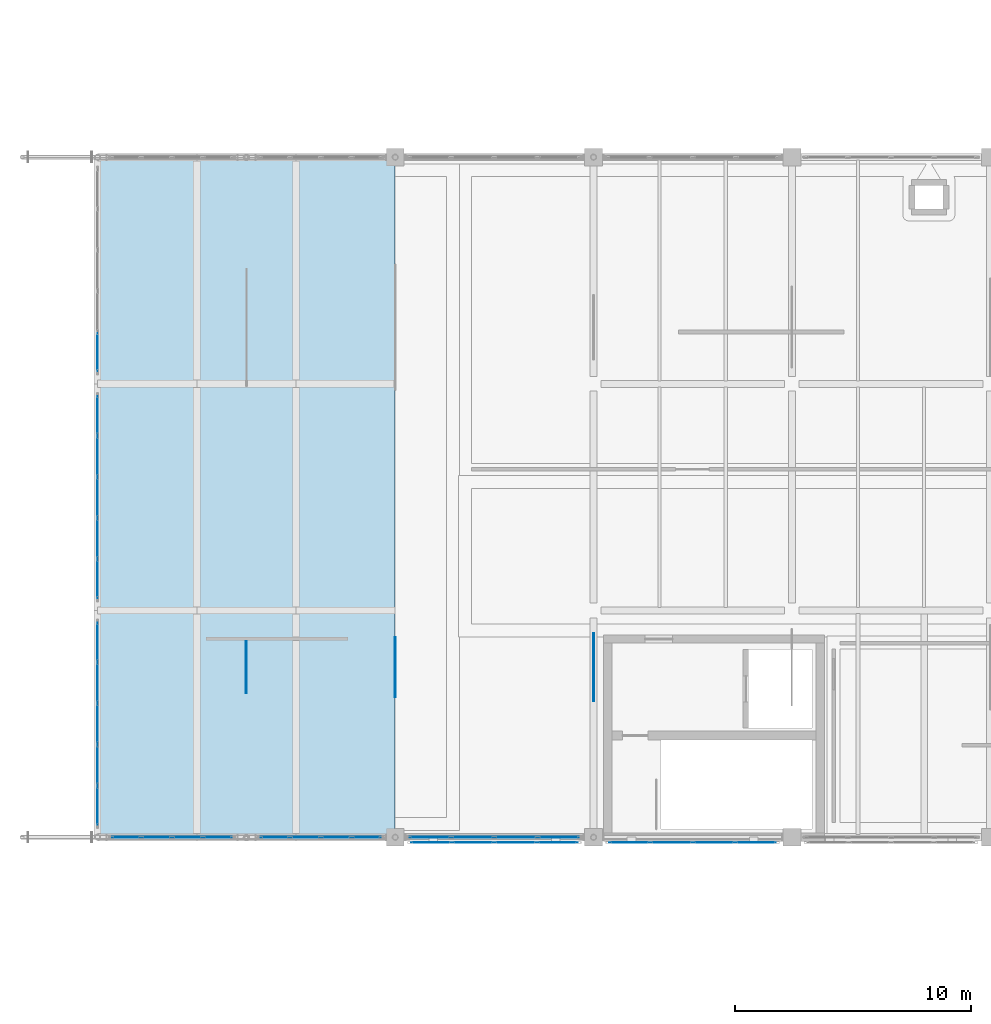
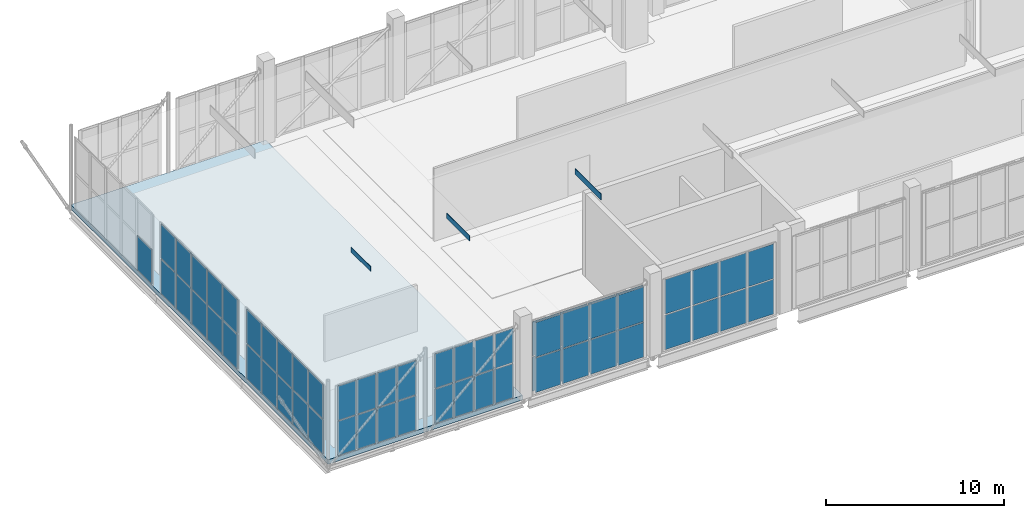
# One storey, part 28 of 49: 64 plates, 1 slab, 8 elements without a shape of their own.
"""IFC4 building model written with IfcOpenShell, lengths in metres."""

from ifc_helpers import new_model, si_unit, direction, frame, origin, origin_2d, place, context, subcontext, project, spatial, polyline, rectangle, outline, extrude, material, layer, layer_set, type_object, element, aggregate, save


model = new_model("IFC4")

# Units and contexts
model_context = context("Model", 3, precision=1e-05, world=origin(), true_north=direction((0.0, 1.0)))
body_context = subcontext(model_context, "Body", "Model", "MODEL_VIEW")
ifc_project = project(units=[si_unit("LENGTHUNIT", "METRE"), si_unit("AREAUNIT", "SQUARE_METRE"), si_unit("VOLUMEUNIT", "CUBIC_METRE"), si_unit("PLANEANGLEUNIT", "RADIAN"), si_unit("MASSUNIT", "GRAM", prefix="KILO")], contexts=[model_context])

# Site, building, storey
site_placement = place(None, origin())
site = spatial("IfcSite", under=ifc_project, at=site_placement, CompositionType="ELEMENT")
building_placement = place(site_placement, origin())
building = spatial("IfcBuilding", under=site, at=building_placement, Name="Zulmaris Art Gallery", CompositionType="ELEMENT")
storey_placement = place(building_placement, frame((0.0, 0.0, 20.699951171875)))
storey = spatial("IfcBuildingStorey", under=building, at=storey_placement, Name="L04", CompositionType="ELEMENT", Elevation=20.699951171875)

# Curtain wall, plates
ifc_material_1 = material(Name="Unitised Low-E Gallery Curtain Wall", Category="aluminium")
ifc_layer_1 = layer(ifc_material_1, 0.179931640625)
ifc_layer_set_1 = layer_set([ifc_layer_1], Name="Unitised Low-E Gallery Curtain Wall")
curtain_wall_type_1 = type_object("IfcCurtainWallType", Name="CW-CW01", PredefinedType="NOTDEFINED", material=ifc_layer_set_1)
curtain_wall_1_placement = place(storey_placement, origin())
curtain_wall_1 = element("IfcCurtainWall", 1, at=curtain_wall_1_placement, inside=storey, type_object=curtain_wall_type_1, Name="L04 curtain wall 19", PredefinedType="NOTDEFINED")
ifc_material_2 = material(Name="Triple Solar-Control Laminated Glass", Category="glass")
ifc_layer_2 = layer(ifc_material_2, 0.035888671875)
ifc_layer_set_2 = layer_set([ifc_layer_2], Name="Triple Solar-Control Laminated Glass")
plate_type_1 = type_object("IfcPlateType", Name="CWPAN-GLZ", PredefinedType="CURTAIN_PANEL", material=ifc_layer_set_2)
plate_1_placement = place(storey_placement, frame((12.611328125, 21.60009765625, 0.0751953125), z_axis=(0.0, 0.0, 1.0), x_axis=(1.0, 0.0, 0.0)))
plate_1 = element("IfcPlate", 2, at=plate_1_placement, type_object=plate_type_1, Name="CW01 panel 1.1", PredefinedType="CURTAIN_PANEL", context=body_context, shape_type="SweptSolid", body=[
    extrude(rectangle(XDim=1.1923828125, YDim=0.031982421875, at=origin_2d()), origin(), (0.0, 0.0, 1.0), 2.33740234375),
])
plate_2_placement = place(storey_placement, frame((12.611328125, 21.60009765625, 2.487548828125), z_axis=(0.0, 0.0, 1.0), x_axis=(1.0, 0.0, 0.0)))
plate_2 = element("IfcPlate", 3, at=plate_2_placement, type_object=plate_type_1, Name="CW01 panel 1.2", PredefinedType="CURTAIN_PANEL", context=body_context, shape_type="SweptSolid", body=[
    extrude(rectangle(XDim=1.1923828125, YDim=0.031982421875, at=origin_2d()), origin(), (0.0, 0.0, 1.0), 2.33740234375),
])
plate_3_placement = place(storey_placement, frame((13.8974609375, 21.60009765625, 0.0751953125), z_axis=(0.0, 0.0, 1.0), x_axis=(1.0, 0.0, 0.0)))
plate_3 = element("IfcPlate", 4, at=plate_3_placement, type_object=plate_type_1, Name="CW01 panel 2.1", PredefinedType="CURTAIN_PANEL", context=body_context, shape_type="SweptSolid", body=[
    extrude(rectangle(XDim=1.22998046875, YDim=0.031982421875, at=origin_2d()), origin(), (0.0, 0.0, 1.0), 2.33740234375),
])
plate_4_placement = place(storey_placement, frame((13.8974609375, 21.60009765625, 2.487548828125), z_axis=(0.0, 0.0, 1.0), x_axis=(1.0, 0.0, 0.0)))
plate_4 = element("IfcPlate", 5, at=plate_4_placement, type_object=plate_type_1, Name="CW01 panel 2.2", PredefinedType="CURTAIN_PANEL", context=body_context, shape_type="SweptSolid", body=[
    extrude(rectangle(XDim=1.22998046875, YDim=0.031982421875, at=origin_2d()), origin(), (0.0, 0.0, 1.0), 2.33740234375),
])
plate_5_placement = place(storey_placement, frame((15.202392578125, 21.60009765625, 0.0751953125), z_axis=(0.0, 0.0, 1.0), x_axis=(1.0, 0.0, 0.0)))
plate_5 = element("IfcPlate", 6, at=plate_5_placement, type_object=plate_type_1, Name="CW01 panel 3.1", PredefinedType="CURTAIN_PANEL", context=body_context, shape_type="SweptSolid", body=[
    extrude(rectangle(XDim=1.22998046875, YDim=0.031982421875, at=origin_2d()), origin(), (0.0, 0.0, 1.0), 2.33740234375),
])
plate_6_placement = place(storey_placement, frame((15.202392578125, 21.60009765625, 2.487548828125), z_axis=(0.0, 0.0, 1.0), x_axis=(1.0, 0.0, 0.0)))
plate_6 = element("IfcPlate", 7, at=plate_6_placement, type_object=plate_type_1, Name="CW01 panel 3.2", PredefinedType="CURTAIN_PANEL", context=body_context, shape_type="SweptSolid", body=[
    extrude(rectangle(XDim=1.22998046875, YDim=0.031982421875, at=origin_2d()), origin(), (0.0, 0.0, 1.0), 2.33740234375),
])
plate_7_placement = place(storey_placement, frame((16.48876953125, 21.60009765625, 0.0751953125), z_axis=(0.0, 0.0, 1.0), x_axis=(1.0, 0.0, 0.0)))
plate_7 = element("IfcPlate", 8, at=plate_7_placement, type_object=plate_type_1, Name="CW01 panel 4.1", PredefinedType="CURTAIN_PANEL", context=body_context, shape_type="SweptSolid", body=[
    extrude(rectangle(XDim=1.1923828125, YDim=0.031982421875, at=origin_2d()), origin(), (0.0, 0.0, 1.0), 2.33740234375),
])
plate_8_placement = place(storey_placement, frame((16.48876953125, 21.60009765625, 2.487548828125), z_axis=(0.0, 0.0, 1.0), x_axis=(1.0, 0.0, 0.0)))
plate_8 = element("IfcPlate", 9, at=plate_8_placement, type_object=plate_type_1, Name="CW01 panel 4.2", PredefinedType="CURTAIN_PANEL", context=body_context, shape_type="SweptSolid", body=[
    extrude(rectangle(XDim=1.1923828125, YDim=0.031982421875, at=origin_2d()), origin(), (0.0, 0.0, 1.0), 2.33740234375),
])
aggregate(curtain_wall_1, [plate_1, plate_2, plate_3, plate_4, plate_5, plate_6, plate_7, plate_8])

curtain_wall_2_placement = place(storey_placement, origin())
curtain_wall_2 = element("IfcCurtainWall", 10, at=curtain_wall_2_placement, inside=storey, type_object=curtain_wall_type_1, Name="L04 curtain wall 21", PredefinedType="NOTDEFINED")
plate_9_placement = place(storey_placement, frame((18.9111328125, 21.60009765625, 0.0751953125), z_axis=(0.0, 0.0, 1.0), x_axis=(1.0, 0.0, 0.0)))
plate_9 = element("IfcPlate", 11, at=plate_9_placement, type_object=plate_type_1, Name="CW01 panel 1.1", PredefinedType="CURTAIN_PANEL", context=body_context, shape_type="SweptSolid", body=[
    extrude(rectangle(XDim=1.1923828125, YDim=0.031982421875, at=origin_2d()), origin(), (0.0, 0.0, 1.0), 2.33740234375),
])
plate_10_placement = place(storey_placement, frame((18.9111328125, 21.60009765625, 2.487548828125), z_axis=(0.0, 0.0, 1.0), x_axis=(1.0, 0.0, 0.0)))
plate_10 = element("IfcPlate", 12, at=plate_10_placement, type_object=plate_type_1, Name="CW01 panel 1.2", PredefinedType="CURTAIN_PANEL", context=body_context, shape_type="SweptSolid", body=[
    extrude(rectangle(XDim=1.1923828125, YDim=0.031982421875, at=origin_2d()), origin(), (0.0, 0.0, 1.0), 2.33740234375),
])
plate_11_placement = place(storey_placement, frame((20.197509765625, 21.60009765625, 0.0751953125), z_axis=(0.0, 0.0, 1.0), x_axis=(1.0, 0.0, 0.0)))
plate_11 = element("IfcPlate", 13, at=plate_11_placement, type_object=plate_type_1, Name="CW01 panel 2.1", PredefinedType="CURTAIN_PANEL", context=body_context, shape_type="SweptSolid", body=[
    extrude(rectangle(XDim=1.22998046875, YDim=0.031982421875, at=origin_2d()), origin(), (0.0, 0.0, 1.0), 2.33740234375),
])
plate_12_placement = place(storey_placement, frame((20.197509765625, 21.60009765625, 2.487548828125), z_axis=(0.0, 0.0, 1.0), x_axis=(1.0, 0.0, 0.0)))
plate_12 = element("IfcPlate", 14, at=plate_12_placement, type_object=plate_type_1, Name="CW01 panel 2.2", PredefinedType="CURTAIN_PANEL", context=body_context, shape_type="SweptSolid", body=[
    extrude(rectangle(XDim=1.22998046875, YDim=0.031982421875, at=origin_2d()), origin(), (0.0, 0.0, 1.0), 2.33740234375),
])
plate_13_placement = place(storey_placement, frame((21.50244140625, 21.60009765625, 0.0751953125), z_axis=(0.0, 0.0, 1.0), x_axis=(1.0, 0.0, 0.0)))
plate_13 = element("IfcPlate", 15, at=plate_13_placement, type_object=plate_type_1, Name="CW01 panel 3.1", PredefinedType="CURTAIN_PANEL", context=body_context, shape_type="SweptSolid", body=[
    extrude(rectangle(XDim=1.22998046875, YDim=0.031982421875, at=origin_2d()), origin(), (0.0, 0.0, 1.0), 2.33740234375),
])
plate_14_placement = place(storey_placement, frame((21.50244140625, 21.60009765625, 2.487548828125), z_axis=(0.0, 0.0, 1.0), x_axis=(1.0, 0.0, 0.0)))
plate_14 = element("IfcPlate", 16, at=plate_14_placement, type_object=plate_type_1, Name="CW01 panel 3.2", PredefinedType="CURTAIN_PANEL", context=body_context, shape_type="SweptSolid", body=[
    extrude(rectangle(XDim=1.22998046875, YDim=0.031982421875, at=origin_2d()), origin(), (0.0, 0.0, 1.0), 2.33740234375),
])
plate_15_placement = place(storey_placement, frame((22.788818359375, 21.60009765625, 0.0751953125), z_axis=(0.0, 0.0, 1.0), x_axis=(1.0, 0.0, 0.0)))
plate_15 = element("IfcPlate", 17, at=plate_15_placement, type_object=plate_type_1, Name="CW01 panel 4.1", PredefinedType="CURTAIN_PANEL", context=body_context, shape_type="SweptSolid", body=[
    extrude(rectangle(XDim=1.1923828125, YDim=0.031982421875, at=origin_2d()), origin(), (0.0, 0.0, 1.0), 2.33740234375),
])
plate_16_placement = place(storey_placement, frame((22.788818359375, 21.60009765625, 2.487548828125), z_axis=(0.0, 0.0, 1.0), x_axis=(1.0, 0.0, 0.0)))
plate_16 = element("IfcPlate", 18, at=plate_16_placement, type_object=plate_type_1, Name="CW01 panel 4.2", PredefinedType="CURTAIN_PANEL", context=body_context, shape_type="SweptSolid", body=[
    extrude(rectangle(XDim=1.1923828125, YDim=0.031982421875, at=origin_2d()), origin(), (0.0, 0.0, 1.0), 2.33740234375),
])
aggregate(curtain_wall_2, [plate_9, plate_10, plate_11, plate_12, plate_13, plate_14, plate_15, plate_16])

curtain_wall_3_placement = place(storey_placement, origin())
curtain_wall_3 = element("IfcCurtainWall", 19, at=curtain_wall_3_placement, inside=storey, type_object=curtain_wall_type_1, Name="L04 curtain wall 23", PredefinedType="NOTDEFINED")
plate_17_placement = place(storey_placement, frame((25.4736328125, 21.60009765625, 0.0751953125), z_axis=(0.0, 0.0, 1.0), x_axis=(1.0, 0.0, 0.0)))
plate_17 = element("IfcPlate", 20, at=plate_17_placement, type_object=plate_type_1, Name="CW01 panel 1.1", PredefinedType="CURTAIN_PANEL", context=body_context, shape_type="SweptSolid", body=[
    extrude(rectangle(XDim=1.717529296875, YDim=0.031982421875, at=origin_2d()), origin(), (0.0, 0.0, 1.0), 2.33740234375),
])
plate_18_placement = place(storey_placement, frame((25.4736328125, 21.60009765625, 2.487548828125), z_axis=(0.0, 0.0, 1.0), x_axis=(1.0, 0.0, 0.0)))
plate_18 = element("IfcPlate", 21, at=plate_18_placement, type_object=plate_type_1, Name="CW01 panel 1.2", PredefinedType="CURTAIN_PANEL", context=body_context, shape_type="SweptSolid", body=[
    extrude(rectangle(XDim=1.717529296875, YDim=0.031982421875, at=origin_2d()), origin(), (0.0, 0.0, 1.0), 2.33740234375),
])
plate_19_placement = place(storey_placement, frame((27.284912109375, 21.60009765625, 0.0751953125), z_axis=(0.0, 0.0, 1.0), x_axis=(1.0, 0.0, 0.0)))
plate_19 = element("IfcPlate", 22, at=plate_19_placement, type_object=plate_type_1, Name="CW01 panel 2.1", PredefinedType="CURTAIN_PANEL", context=body_context, shape_type="SweptSolid", body=[
    extrude(rectangle(XDim=1.7548828125, YDim=0.031982421875, at=origin_2d()), origin(), (0.0, 0.0, 1.0), 2.33740234375),
])
plate_20_placement = place(storey_placement, frame((27.284912109375, 21.60009765625, 2.487548828125), z_axis=(0.0, 0.0, 1.0), x_axis=(1.0, 0.0, 0.0)))
plate_20 = element("IfcPlate", 23, at=plate_20_placement, type_object=plate_type_1, Name="CW01 panel 2.2", PredefinedType="CURTAIN_PANEL", context=body_context, shape_type="SweptSolid", body=[
    extrude(rectangle(XDim=1.7548828125, YDim=0.031982421875, at=origin_2d()), origin(), (0.0, 0.0, 1.0), 2.33740234375),
])
plate_21_placement = place(storey_placement, frame((29.114990234375, 21.60009765625, 0.0751953125), z_axis=(0.0, 0.0, 1.0), x_axis=(1.0, 0.0, 0.0)))
plate_21 = element("IfcPlate", 24, at=plate_21_placement, type_object=plate_type_1, Name="CW01 panel 3.1", PredefinedType="CURTAIN_PANEL", context=body_context, shape_type="SweptSolid", body=[
    extrude(rectangle(XDim=1.7548828125, YDim=0.031982421875, at=origin_2d()), origin(), (0.0, 0.0, 1.0), 2.33740234375),
])
plate_22_placement = place(storey_placement, frame((29.114990234375, 21.60009765625, 2.487548828125), z_axis=(0.0, 0.0, 1.0), x_axis=(1.0, 0.0, 0.0)))
plate_22 = element("IfcPlate", 25, at=plate_22_placement, type_object=plate_type_1, Name="CW01 panel 3.2", PredefinedType="CURTAIN_PANEL", context=body_context, shape_type="SweptSolid", body=[
    extrude(rectangle(XDim=1.7548828125, YDim=0.031982421875, at=origin_2d()), origin(), (0.0, 0.0, 1.0), 2.33740234375),
])
plate_23_placement = place(storey_placement, frame((30.92626953125, 21.60009765625, 0.0751953125), z_axis=(0.0, 0.0, 1.0), x_axis=(1.0, 0.0, 0.0)))
plate_23 = element("IfcPlate", 26, at=plate_23_placement, type_object=plate_type_1, Name="CW01 panel 4.1", PredefinedType="CURTAIN_PANEL", context=body_context, shape_type="SweptSolid", body=[
    extrude(rectangle(XDim=1.717529296875, YDim=0.031982421875, at=origin_2d()), origin(), (0.0, 0.0, 1.0), 2.33740234375),
])
plate_24_placement = place(storey_placement, frame((30.92626953125, 21.60009765625, 2.487548828125), z_axis=(0.0, 0.0, 1.0), x_axis=(1.0, 0.0, 0.0)))
plate_24 = element("IfcPlate", 27, at=plate_24_placement, type_object=plate_type_1, Name="CW01 panel 4.2", PredefinedType="CURTAIN_PANEL", context=body_context, shape_type="SweptSolid", body=[
    extrude(rectangle(XDim=1.717529296875, YDim=0.031982421875, at=origin_2d()), origin(), (0.0, 0.0, 1.0), 2.33740234375),
])
aggregate(curtain_wall_3, [plate_17, plate_18, plate_19, plate_20, plate_21, plate_22, plate_23, plate_24])

ifc_material_3 = material(Name="Belvedere Horizon Glazed Curtain Wall", Category="aluminium")
ifc_layer_3 = layer(ifc_material_3, 0.179931640625)
ifc_layer_set_3 = layer_set([ifc_layer_3], Name="Belvedere Horizon Glazed Curtain Wall")
curtain_wall_type_2 = type_object("IfcCurtainWallType", Name="CW-CW02", PredefinedType="NOTDEFINED", material=ifc_layer_set_3)
curtain_wall_4_placement = place(storey_placement, origin())
curtain_wall_4 = element("IfcCurtainWall", 28, at=curtain_wall_4_placement, inside=storey, type_object=curtain_wall_type_2, Name="L04 curtain wall 35", PredefinedType="NOTDEFINED")
plate_25_placement = place(storey_placement, frame((11.39990234375, 22.938720703125, 0.0751953125), z_axis=(0.0, 0.0, 1.0), x_axis=(0.0, 1.0, 0.0)))
plate_25 = element("IfcPlate", 29, at=plate_25_placement, type_object=plate_type_1, Name="CW02 panel 1.1", PredefinedType="CURTAIN_PANEL", context=body_context, shape_type="SweptSolid", body=[
    extrude(rectangle(XDim=1.62744140625, YDim=0.031982421875, at=origin_2d()), origin(), (0.0, 0.0, 1.0), 2.33740234375),
])
plate_26_placement = place(storey_placement, frame((11.39990234375, 22.938720703125, 2.487548828125), z_axis=(0.0, 0.0, 1.0), x_axis=(0.0, 1.0, 0.0)))
plate_26 = element("IfcPlate", 30, at=plate_26_placement, type_object=plate_type_1, Name="CW02 panel 1.2", PredefinedType="CURTAIN_PANEL", context=body_context, shape_type="SweptSolid", body=[
    extrude(rectangle(XDim=1.62744140625, YDim=0.031982421875, at=origin_2d()), origin(), (0.0, 0.0, 1.0), 2.33740234375),
])
plate_27_placement = place(storey_placement, frame((11.39990234375, 24.659912109375, 0.0751953125), z_axis=(0.0, 0.0, 1.0), x_axis=(0.0, 1.0, 0.0)))
plate_27 = element("IfcPlate", 31, at=plate_27_placement, type_object=plate_type_1, Name="CW02 panel 2.1", PredefinedType="CURTAIN_PANEL", context=body_context, shape_type="SweptSolid", body=[
    extrude(rectangle(XDim=1.6650390625, YDim=0.031982421875, at=origin_2d()), origin(), (0.0, 0.0, 1.0), 2.33740234375),
])
plate_28_placement = place(storey_placement, frame((11.39990234375, 24.659912109375, 2.487548828125), z_axis=(0.0, 0.0, 1.0), x_axis=(0.0, 1.0, 0.0)))
plate_28 = element("IfcPlate", 32, at=plate_28_placement, type_object=plate_type_1, Name="CW02 panel 2.2", PredefinedType="CURTAIN_PANEL", context=body_context, shape_type="SweptSolid", body=[
    extrude(rectangle(XDim=1.6650390625, YDim=0.031982421875, at=origin_2d()), origin(), (0.0, 0.0, 1.0), 2.33740234375),
])
plate_29_placement = place(storey_placement, frame((11.39990234375, 26.39990234375, 0.0751953125), z_axis=(0.0, 0.0, 1.0), x_axis=(0.0, 1.0, 0.0)))
plate_29 = element("IfcPlate", 33, at=plate_29_placement, type_object=plate_type_1, Name="CW02 panel 3.1", PredefinedType="CURTAIN_PANEL", context=body_context, shape_type="SweptSolid", body=[
    extrude(rectangle(XDim=1.6650390625, YDim=0.031982421875, at=origin_2d()), origin(), (0.0, 0.0, 1.0), 2.33740234375),
])
plate_30_placement = place(storey_placement, frame((11.39990234375, 26.39990234375, 2.487548828125), z_axis=(0.0, 0.0, 1.0), x_axis=(0.0, 1.0, 0.0)))
plate_30 = element("IfcPlate", 34, at=plate_30_placement, type_object=plate_type_1, Name="CW02 panel 3.2", PredefinedType="CURTAIN_PANEL", context=body_context, shape_type="SweptSolid", body=[
    extrude(rectangle(XDim=1.6650390625, YDim=0.031982421875, at=origin_2d()), origin(), (0.0, 0.0, 1.0), 2.33740234375),
])
plate_31_placement = place(storey_placement, frame((11.39990234375, 28.139892578125, 0.0751953125), z_axis=(0.0, 0.0, 1.0), x_axis=(0.0, 1.0, 0.0)))
plate_31 = element("IfcPlate", 35, at=plate_31_placement, type_object=plate_type_1, Name="CW02 panel 4.1", PredefinedType="CURTAIN_PANEL", context=body_context, shape_type="SweptSolid", body=[
    extrude(rectangle(XDim=1.6650390625, YDim=0.031982421875, at=origin_2d()), origin(), (0.0, 0.0, 1.0), 2.33740234375),
])
plate_32_placement = place(storey_placement, frame((11.39990234375, 28.139892578125, 2.487548828125), z_axis=(0.0, 0.0, 1.0), x_axis=(0.0, 1.0, 0.0)))
plate_32 = element("IfcPlate", 36, at=plate_32_placement, type_object=plate_type_1, Name="CW02 panel 4.2", PredefinedType="CURTAIN_PANEL", context=body_context, shape_type="SweptSolid", body=[
    extrude(rectangle(XDim=1.6650390625, YDim=0.031982421875, at=origin_2d()), origin(), (0.0, 0.0, 1.0), 2.33740234375),
])
plate_33_placement = place(storey_placement, frame((11.39990234375, 29.861328125, 0.0751953125), z_axis=(0.0, 0.0, 1.0), x_axis=(0.0, 1.0, 0.0)))
plate_33 = element("IfcPlate", 37, at=plate_33_placement, type_object=plate_type_1, Name="CW02 panel 5.1", PredefinedType="CURTAIN_PANEL", context=body_context, shape_type="SweptSolid", body=[
    extrude(rectangle(XDim=1.62744140625, YDim=0.031982421875, at=origin_2d()), origin(), (0.0, 0.0, 1.0), 2.33740234375),
])
plate_34_placement = place(storey_placement, frame((11.39990234375, 29.861328125, 2.487548828125), z_axis=(0.0, 0.0, 1.0), x_axis=(0.0, 1.0, 0.0)))
plate_34 = element("IfcPlate", 38, at=plate_34_placement, type_object=plate_type_1, Name="CW02 panel 5.2", PredefinedType="CURTAIN_PANEL", context=body_context, shape_type="SweptSolid", body=[
    extrude(rectangle(XDim=1.62744140625, YDim=0.031982421875, at=origin_2d()), origin(), (0.0, 0.0, 1.0), 2.33740234375),
])
aggregate(curtain_wall_4, [plate_25, plate_26, plate_27, plate_28, plate_29, plate_30, plate_31, plate_32, plate_33, plate_34])

curtain_wall_5_placement = place(storey_placement, origin())
curtain_wall_5 = element("IfcCurtainWall", 39, at=curtain_wall_5_placement, inside=storey, type_object=curtain_wall_type_2, Name="L04 curtain wall 36", PredefinedType="NOTDEFINED")
plate_35_placement = place(storey_placement, frame((11.39990234375, 32.538818359375, 0.0751953125), z_axis=(0.0, 0.0, 1.0), x_axis=(0.0, 1.0, 0.0)))
plate_35 = element("IfcPlate", 40, at=plate_35_placement, type_object=plate_type_1, Name="CW02 panel 1.1", PredefinedType="CURTAIN_PANEL", context=body_context, shape_type="SweptSolid", body=[
    extrude(rectangle(XDim=1.62744140625, YDim=0.031982421875, at=origin_2d()), origin(), (0.0, 0.0, 1.0), 2.33740234375),
])
plate_36_placement = place(storey_placement, frame((11.39990234375, 32.538818359375, 2.487548828125), z_axis=(0.0, 0.0, 1.0), x_axis=(0.0, 1.0, 0.0)))
plate_36 = element("IfcPlate", 41, at=plate_36_placement, type_object=plate_type_1, Name="CW02 panel 1.2", PredefinedType="CURTAIN_PANEL", context=body_context, shape_type="SweptSolid", body=[
    extrude(rectangle(XDim=1.62744140625, YDim=0.031982421875, at=origin_2d()), origin(), (0.0, 0.0, 1.0), 2.33740234375),
])
plate_37_placement = place(storey_placement, frame((11.39990234375, 34.260009765625, 0.0751953125), z_axis=(0.0, 0.0, 1.0), x_axis=(0.0, 1.0, 0.0)))
plate_37 = element("IfcPlate", 42, at=plate_37_placement, type_object=plate_type_1, Name="CW02 panel 2.1", PredefinedType="CURTAIN_PANEL", context=body_context, shape_type="SweptSolid", body=[
    extrude(rectangle(XDim=1.6650390625, YDim=0.031982421875, at=origin_2d()), origin(), (0.0, 0.0, 1.0), 2.33740234375),
])
plate_38_placement = place(storey_placement, frame((11.39990234375, 34.260009765625, 2.487548828125), z_axis=(0.0, 0.0, 1.0), x_axis=(0.0, 1.0, 0.0)))
plate_38 = element("IfcPlate", 43, at=plate_38_placement, type_object=plate_type_1, Name="CW02 panel 2.2", PredefinedType="CURTAIN_PANEL", context=body_context, shape_type="SweptSolid", body=[
    extrude(rectangle(XDim=1.6650390625, YDim=0.031982421875, at=origin_2d()), origin(), (0.0, 0.0, 1.0), 2.33740234375),
])
plate_39_placement = place(storey_placement, frame((11.39990234375, 36.0, 0.0751953125), z_axis=(0.0, 0.0, 1.0), x_axis=(0.0, 1.0, 0.0)))
plate_39 = element("IfcPlate", 44, at=plate_39_placement, type_object=plate_type_1, Name="CW02 panel 3.1", PredefinedType="CURTAIN_PANEL", context=body_context, shape_type="SweptSolid", body=[
    extrude(rectangle(XDim=1.6650390625, YDim=0.031982421875, at=origin_2d()), origin(), (0.0, 0.0, 1.0), 2.33740234375),
])
plate_40_placement = place(storey_placement, frame((11.39990234375, 36.0, 2.487548828125), z_axis=(0.0, 0.0, 1.0), x_axis=(0.0, 1.0, 0.0)))
plate_40 = element("IfcPlate", 45, at=plate_40_placement, type_object=plate_type_1, Name="CW02 panel 3.2", PredefinedType="CURTAIN_PANEL", context=body_context, shape_type="SweptSolid", body=[
    extrude(rectangle(XDim=1.6650390625, YDim=0.031982421875, at=origin_2d()), origin(), (0.0, 0.0, 1.0), 2.33740234375),
])
plate_41_placement = place(storey_placement, frame((11.39990234375, 37.739990234375, 0.0751953125), z_axis=(0.0, 0.0, 1.0), x_axis=(0.0, 1.0, 0.0)))
plate_41 = element("IfcPlate", 46, at=plate_41_placement, type_object=plate_type_1, Name="CW02 panel 4.1", PredefinedType="CURTAIN_PANEL", context=body_context, shape_type="SweptSolid", body=[
    extrude(rectangle(XDim=1.6650390625, YDim=0.031982421875, at=origin_2d()), origin(), (0.0, 0.0, 1.0), 2.33740234375),
])
plate_42_placement = place(storey_placement, frame((11.39990234375, 37.739990234375, 2.487548828125), z_axis=(0.0, 0.0, 1.0), x_axis=(0.0, 1.0, 0.0)))
plate_42 = element("IfcPlate", 47, at=plate_42_placement, type_object=plate_type_1, Name="CW02 panel 4.2", PredefinedType="CURTAIN_PANEL", context=body_context, shape_type="SweptSolid", body=[
    extrude(rectangle(XDim=1.6650390625, YDim=0.031982421875, at=origin_2d()), origin(), (0.0, 0.0, 1.0), 2.33740234375),
])
plate_43_placement = place(storey_placement, frame((11.39990234375, 39.461181640625, 0.0751953125), z_axis=(0.0, 0.0, 1.0), x_axis=(0.0, 1.0, 0.0)))
plate_43 = element("IfcPlate", 48, at=plate_43_placement, type_object=plate_type_1, Name="CW02 panel 5.1", PredefinedType="CURTAIN_PANEL", context=body_context, shape_type="SweptSolid", body=[
    extrude(rectangle(XDim=1.62744140625, YDim=0.031982421875, at=origin_2d()), origin(), (0.0, 0.0, 1.0), 2.33740234375),
])
plate_44_placement = place(storey_placement, frame((11.39990234375, 39.461181640625, 2.487548828125), z_axis=(0.0, 0.0, 1.0), x_axis=(0.0, 1.0, 0.0)))
plate_44 = element("IfcPlate", 49, at=plate_44_placement, type_object=plate_type_1, Name="CW02 panel 5.2", PredefinedType="CURTAIN_PANEL", context=body_context, shape_type="SweptSolid", body=[
    extrude(rectangle(XDim=1.62744140625, YDim=0.031982421875, at=origin_2d()), origin(), (0.0, 0.0, 1.0), 2.33740234375),
])
aggregate(curtain_wall_5, [plate_35, plate_36, plate_37, plate_38, plate_39, plate_40, plate_41, plate_42, plate_43, plate_44])

# Curtain wall, plate
curtain_wall_6_placement = place(storey_placement, origin())
curtain_wall_6 = element("IfcCurtainWall", 50, at=curtain_wall_6_placement, inside=storey, type_object=curtain_wall_type_2, Name="L04 curtain wall 37", PredefinedType="NOTDEFINED")
plate_45_placement = place(storey_placement, frame((11.39990234375, 42.138671875, 0.0751953125), z_axis=(0.0, 0.0, 1.0), x_axis=(0.0, 1.0, 0.0)))
plate_45 = element("IfcPlate", 51, at=plate_45_placement, type_object=plate_type_1, Name="CW02 panel 1.1", PredefinedType="CURTAIN_PANEL", context=body_context, shape_type="SweptSolid", body=[
    extrude(rectangle(XDim=1.62744140625, YDim=0.031982421875, at=origin_2d()), origin(), (0.0, 0.0, 1.0), 2.33740234375),
])
aggregate(curtain_wall_6, [plate_45])

# Curtain wall, plates
ifc_material_4 = material(Name="Perforated Bronze Art Deco Mashrabiya Screen", Category="aluminium")
ifc_layer_4 = layer(ifc_material_4, 0.179931640625)
ifc_layer_set_4 = layer_set([ifc_layer_4], Name="Perforated Bronze Art Deco Mashrabiya Screen")
curtain_wall_type_3 = type_object("IfcCurtainWallType", Name="CW-CW06", PredefinedType="USERDEFINED", material=ifc_layer_set_4)
curtain_wall_7_placement = place(storey_placement, origin())
curtain_wall_7 = element("IfcCurtainWall", 52, at=curtain_wall_7_placement, inside=storey, type_object=curtain_wall_type_3, Name="L04 Mashrabiya screen 178", ObjectType="MASHRABIYA SCREEN", PredefinedType="USERDEFINED")
ifc_material_5 = material(Name="Perforated Cast Bronze Chevron Panel", Category="aluminium")
ifc_layer_5 = layer(ifc_material_5, 0.02392578125)
ifc_layer_set_5 = layer_set([ifc_layer_5], Name="Perforated Cast Bronze Chevron Panel")
plate_type_2 = type_object("IfcPlateType", Name="CWPAN-MSH", PredefinedType="CURTAIN_PANEL", material=ifc_layer_set_5)
plate_46_placement = place(storey_placement, frame((25.518798828125, 21.3798828125, 0.0751953125), z_axis=(0.0, 0.0, 1.0), x_axis=(1.0, 0.0, 0.0)))
plate_46 = element("IfcPlate", 53, at=plate_46_placement, type_object=plate_type_2, Name="CW06 panel 1.1", PredefinedType="CURTAIN_PANEL", context=body_context, shape_type="SweptSolid", body=[
    extrude(rectangle(XDim=1.6875, YDim=0.031982421875, at=origin_2d()), origin(), (0.0, 0.0, 1.0), 2.362548828125),
])
plate_47_placement = place(storey_placement, frame((25.518798828125, 21.3798828125, 2.5126953125), z_axis=(0.0, 0.0, 1.0), x_axis=(1.0, 0.0, 0.0)))
plate_47 = element("IfcPlate", 54, at=plate_47_placement, type_object=plate_type_2, Name="CW06 panel 1.2", PredefinedType="CURTAIN_PANEL", context=body_context, shape_type="SweptSolid", body=[
    extrude(rectangle(XDim=1.6875, YDim=0.031982421875, at=origin_2d()), origin(), (0.0, 0.0, 1.0), 2.362548828125),
])
plate_48_placement = place(storey_placement, frame((27.300048828125, 21.3798828125, 0.0751953125), z_axis=(0.0, 0.0, 1.0), x_axis=(1.0, 0.0, 0.0)))
plate_48 = element("IfcPlate", 55, at=plate_48_placement, type_object=plate_type_2, Name="CW06 panel 2.1", PredefinedType="CURTAIN_PANEL", context=body_context, shape_type="SweptSolid", body=[
    extrude(rectangle(XDim=1.72509765625, YDim=0.031982421875, at=origin_2d()), origin(), (0.0, 0.0, 1.0), 2.362548828125),
])
plate_49_placement = place(storey_placement, frame((27.300048828125, 21.3798828125, 2.5126953125), z_axis=(0.0, 0.0, 1.0), x_axis=(1.0, 0.0, 0.0)))
plate_49 = element("IfcPlate", 56, at=plate_49_placement, type_object=plate_type_2, Name="CW06 panel 2.2", PredefinedType="CURTAIN_PANEL", context=body_context, shape_type="SweptSolid", body=[
    extrude(rectangle(XDim=1.72509765625, YDim=0.031982421875, at=origin_2d()), origin(), (0.0, 0.0, 1.0), 2.362548828125),
])
plate_50_placement = place(storey_placement, frame((29.10009765625, 21.3798828125, 0.0751953125), z_axis=(0.0, 0.0, 1.0), x_axis=(1.0, 0.0, 0.0)))
plate_50 = element("IfcPlate", 57, at=plate_50_placement, type_object=plate_type_2, Name="CW06 panel 3.1", PredefinedType="CURTAIN_PANEL", context=body_context, shape_type="SweptSolid", body=[
    extrude(rectangle(XDim=1.72509765625, YDim=0.031982421875, at=origin_2d()), origin(), (0.0, 0.0, 1.0), 2.362548828125),
])
plate_51_placement = place(storey_placement, frame((29.10009765625, 21.3798828125, 2.5126953125), z_axis=(0.0, 0.0, 1.0), x_axis=(1.0, 0.0, 0.0)))
plate_51 = element("IfcPlate", 58, at=plate_51_placement, type_object=plate_type_2, Name="CW06 panel 3.2", PredefinedType="CURTAIN_PANEL", context=body_context, shape_type="SweptSolid", body=[
    extrude(rectangle(XDim=1.72509765625, YDim=0.031982421875, at=origin_2d()), origin(), (0.0, 0.0, 1.0), 2.362548828125),
])
plate_52_placement = place(storey_placement, frame((30.88134765625, 21.3798828125, 0.0751953125), z_axis=(0.0, 0.0, 1.0), x_axis=(1.0, 0.0, 0.0)))
plate_52 = element("IfcPlate", 59, at=plate_52_placement, type_object=plate_type_2, Name="CW06 panel 4.1", PredefinedType="CURTAIN_PANEL", context=body_context, shape_type="SweptSolid", body=[
    extrude(rectangle(XDim=1.6875, YDim=0.031982421875, at=origin_2d()), origin(), (0.0, 0.0, 1.0), 2.362548828125),
])
plate_53_placement = place(storey_placement, frame((30.88134765625, 21.3798828125, 2.5126953125), z_axis=(0.0, 0.0, 1.0), x_axis=(1.0, 0.0, 0.0)))
plate_53 = element("IfcPlate", 60, at=plate_53_placement, type_object=plate_type_2, Name="CW06 panel 4.2", PredefinedType="CURTAIN_PANEL", context=body_context, shape_type="SweptSolid", body=[
    extrude(rectangle(XDim=1.6875, YDim=0.031982421875, at=origin_2d()), origin(), (0.0, 0.0, 1.0), 2.362548828125),
])
aggregate(curtain_wall_7, [plate_46, plate_47, plate_48, plate_49, plate_50, plate_51, plate_52, plate_53])

curtain_wall_8_placement = place(storey_placement, origin())
curtain_wall_8 = element("IfcCurtainWall", 61, at=curtain_wall_8_placement, inside=storey, type_object=curtain_wall_type_3, Name="L04 Mashrabiya screen 179", ObjectType="MASHRABIYA SCREEN", PredefinedType="USERDEFINED")
plate_54_placement = place(storey_placement, frame((33.918701171875, 21.3798828125, 0.0751953125), z_axis=(0.0, 0.0, 1.0), x_axis=(1.0, 0.0, 0.0)))
plate_54 = element("IfcPlate", 62, at=plate_54_placement, type_object=plate_type_2, Name="CW06 panel 1.1", PredefinedType="CURTAIN_PANEL", context=body_context, shape_type="SweptSolid", body=[
    extrude(rectangle(XDim=1.6875, YDim=0.031982421875, at=origin_2d()), origin(), (0.0, 0.0, 1.0), 2.362548828125),
])
plate_55_placement = place(storey_placement, frame((33.918701171875, 21.3798828125, 2.5126953125), z_axis=(0.0, 0.0, 1.0), x_axis=(1.0, 0.0, 0.0)))
plate_55 = element("IfcPlate", 63, at=plate_55_placement, type_object=plate_type_2, Name="CW06 panel 1.2", PredefinedType="CURTAIN_PANEL", context=body_context, shape_type="SweptSolid", body=[
    extrude(rectangle(XDim=1.6875, YDim=0.031982421875, at=origin_2d()), origin(), (0.0, 0.0, 1.0), 2.362548828125),
])
plate_56_placement = place(storey_placement, frame((35.699951171875, 21.3798828125, 0.0751953125), z_axis=(0.0, 0.0, 1.0), x_axis=(1.0, 0.0, 0.0)))
plate_56 = element("IfcPlate", 64, at=plate_56_placement, type_object=plate_type_2, Name="CW06 panel 2.1", PredefinedType="CURTAIN_PANEL", context=body_context, shape_type="SweptSolid", body=[
    extrude(rectangle(XDim=1.72509765625, YDim=0.031982421875, at=origin_2d()), origin(), (0.0, 0.0, 1.0), 2.362548828125),
])
plate_57_placement = place(storey_placement, frame((35.699951171875, 21.3798828125, 2.5126953125), z_axis=(0.0, 0.0, 1.0), x_axis=(1.0, 0.0, 0.0)))
plate_57 = element("IfcPlate", 65, at=plate_57_placement, type_object=plate_type_2, Name="CW06 panel 2.2", PredefinedType="CURTAIN_PANEL", context=body_context, shape_type="SweptSolid", body=[
    extrude(rectangle(XDim=1.72509765625, YDim=0.031982421875, at=origin_2d()), origin(), (0.0, 0.0, 1.0), 2.362548828125),
])
plate_58_placement = place(storey_placement, frame((37.5, 21.3798828125, 0.0751953125), z_axis=(0.0, 0.0, 1.0), x_axis=(1.0, 0.0, 0.0)))
plate_58 = element("IfcPlate", 66, at=plate_58_placement, type_object=plate_type_2, Name="CW06 panel 3.1", PredefinedType="CURTAIN_PANEL", context=body_context, shape_type="SweptSolid", body=[
    extrude(rectangle(XDim=1.72509765625, YDim=0.031982421875, at=origin_2d()), origin(), (0.0, 0.0, 1.0), 2.362548828125),
])
plate_59_placement = place(storey_placement, frame((37.5, 21.3798828125, 2.5126953125), z_axis=(0.0, 0.0, 1.0), x_axis=(1.0, 0.0, 0.0)))
plate_59 = element("IfcPlate", 67, at=plate_59_placement, type_object=plate_type_2, Name="CW06 panel 3.2", PredefinedType="CURTAIN_PANEL", context=body_context, shape_type="SweptSolid", body=[
    extrude(rectangle(XDim=1.72509765625, YDim=0.031982421875, at=origin_2d()), origin(), (0.0, 0.0, 1.0), 2.362548828125),
])
plate_60_placement = place(storey_placement, frame((39.28125, 21.3798828125, 0.0751953125), z_axis=(0.0, 0.0, 1.0), x_axis=(1.0, 0.0, 0.0)))
plate_60 = element("IfcPlate", 68, at=plate_60_placement, type_object=plate_type_2, Name="CW06 panel 4.1", PredefinedType="CURTAIN_PANEL", context=body_context, shape_type="SweptSolid", body=[
    extrude(rectangle(XDim=1.6875, YDim=0.031982421875, at=origin_2d()), origin(), (0.0, 0.0, 1.0), 2.362548828125),
])
plate_61_placement = place(storey_placement, frame((39.28125, 21.3798828125, 2.5126953125), z_axis=(0.0, 0.0, 1.0), x_axis=(1.0, 0.0, 0.0)))
plate_61 = element("IfcPlate", 69, at=plate_61_placement, type_object=plate_type_2, Name="CW06 panel 4.2", PredefinedType="CURTAIN_PANEL", context=body_context, shape_type="SweptSolid", body=[
    extrude(rectangle(XDim=1.6875, YDim=0.031982421875, at=origin_2d()), origin(), (0.0, 0.0, 1.0), 2.362548828125),
])
aggregate(curtain_wall_8, [plate_54, plate_55, plate_56, plate_57, plate_58, plate_59, plate_60, plate_61])

# Plates
ifc_material_6 = material(Name="Perforated Bronze Acoustic Gallery Baffle", Category="aluminium")
ifc_layer_6 = layer(ifc_material_6, 0.0380859375)
ifc_layer_set_6 = layer_set([ifc_layer_6], Name="Perforated Bronze Acoustic Gallery Baffle")
plate_type_3 = type_object("IfcPlateType", Name="PLT-BF01", PredefinedType="SHEET", material=ifc_layer_set_6)
plate_62_placement = place(storey_placement, frame((17.699951171875, 28.800048828125, 6.990234375), z_axis=(0.0, 0.0, 1.0), x_axis=(1.0, 0.0, 0.0)))
element("IfcPlate", 70, at=plate_62_placement, inside=storey, type_object=plate_type_3, Name="L04 Top-Lit Gallery Acoustic Ceiling Baffle 1", PredefinedType="SHEET", context=body_context, shape_type="SweptSolid", body=[
    extrude(rectangle(XDim=0.0380859375, YDim=2.199951171875, at=origin_2d()), origin(), (0.0, 0.0, 1.0), 0.320068359375),
])
ifc_layer_7 = layer(ifc_material_6, 0.0400390625)
ifc_layer_set_7 = layer_set([ifc_layer_7], Name="Perforated Bronze Acoustic Gallery Baffle")
plate_type_4 = type_object("IfcPlateType", Name="PLT-BF02", PredefinedType="SHEET", material=ifc_layer_set_7)
plate_63_placement = place(storey_placement, frame((24.0, 28.800048828125, 6.97021484375), z_axis=(0.0, 0.0, 1.0), x_axis=(1.0, 0.0, 0.0)))
element("IfcPlate", 71, at=plate_63_placement, inside=storey, type_object=plate_type_4, Name="L04 Top-Lit Gallery Acoustic Ceiling Baffle 2", PredefinedType="SHEET", context=body_context, shape_type="SweptSolid", body=[
    extrude(rectangle(XDim=0.0400390625, YDim=2.550048828125, at=origin_2d()), origin(), (0.0, 0.0, 1.0), 0.360107421875),
])
ifc_layer_8 = layer(ifc_material_6, 0.0419921875)
ifc_layer_set_8 = layer_set([ifc_layer_8], Name="Perforated Bronze Acoustic Gallery Baffle")
plate_type_5 = type_object("IfcPlateType", Name="PLT-BF03", PredefinedType="SHEET", material=ifc_layer_set_8)
plate_64_placement = place(storey_placement, frame((32.39990234375, 28.800048828125, 6.9501953125), z_axis=(0.0, 0.0, 1.0), x_axis=(1.0, 0.0, 0.0)))
element("IfcPlate", 72, at=plate_64_placement, inside=storey, type_object=plate_type_5, Name="L04 Top-Lit Gallery Acoustic Ceiling Baffle 3", PredefinedType="SHEET", context=body_context, shape_type="SweptSolid", body=[
    extrude(rectangle(XDim=0.0419921875, YDim=2.89990234375, at=origin_2d()), origin(), (0.0, 0.0, 1.0), 0.39990234375),
])

# Slab
ifc_material_7 = material(Name="Concrete C40/50", Category="concrete")
ifc_layer_9 = layer(ifc_material_7, 0.31005859375)
ifc_layer_set_9 = layer_set([ifc_layer_9], Name="Concrete C40/50")
slab_type = type_object("IfcSlabType", Name="SLAB-SL-FL03", PredefinedType="FLOOR", material=ifc_layer_set_9)
slab_placement = place(storey_placement, frame((0.0, 0.0, -0.31005859375)))
element("IfcSlab", 73, at=slab_placement, inside=storey, type_object=slab_type, Name="L04 V1-CANT slab", PredefinedType="FLOOR", context=body_context, shape_type="SweptSolid", body=[
    extrude(outline(polyline([(11.39990234375, 21.60009765625), (11.39990234375, 50.39990234375), (24.0, 50.39990234375), (24.0, 21.60009765625), (11.39990234375, 21.60009765625)])), origin(), (0.0, 0.0, 1.0), 0.31005859375),
])

save(model, "model.ifc")
